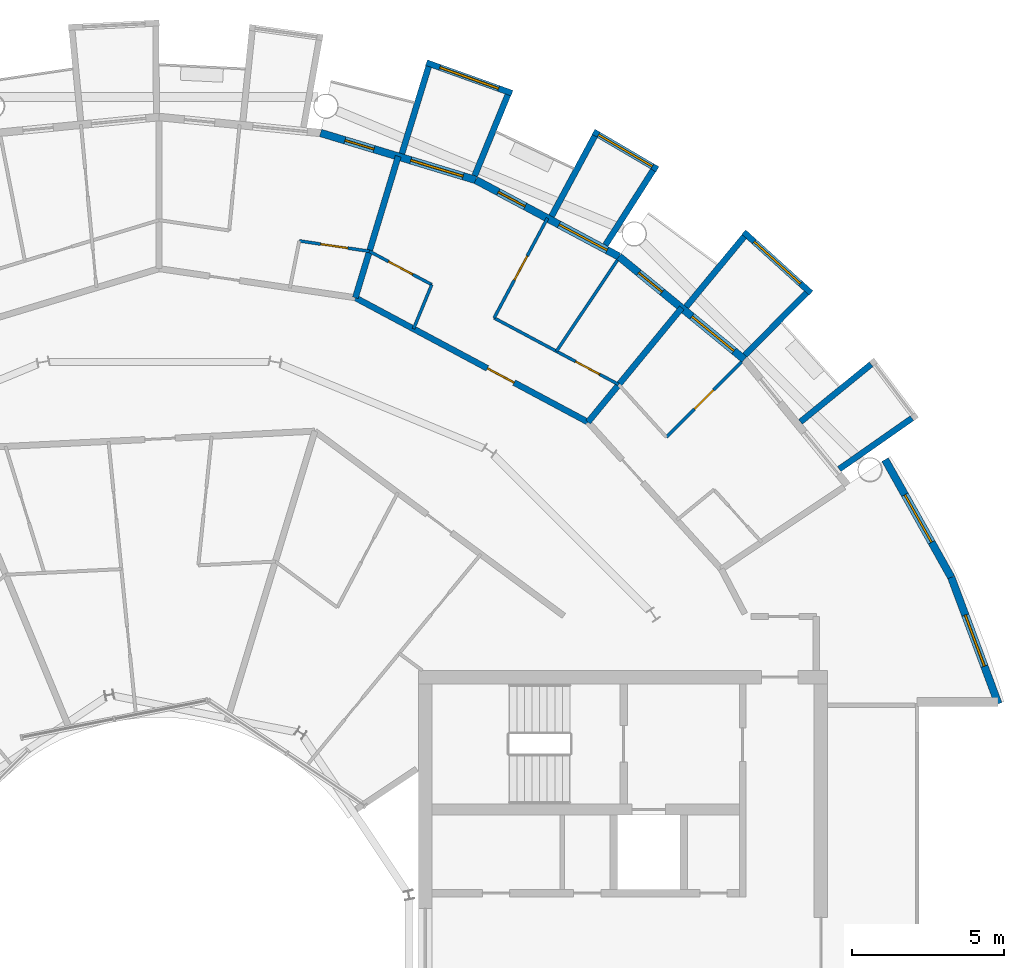
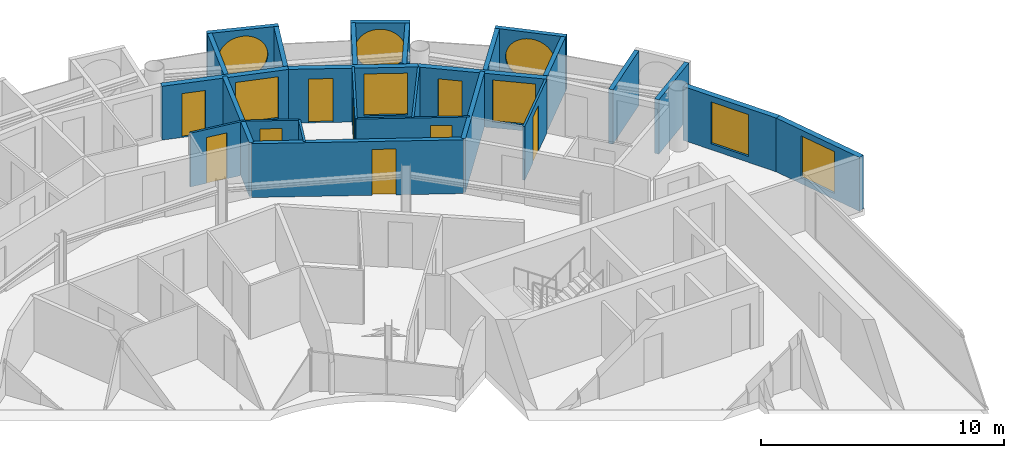
# One storey, part 24 of 29: 26 walls, 9 doors, 8 windows, 17 openings.
"""IFC4 building model written with IfcOpenShell, lengths in metres."""

from ifc_helpers import new_model, si_unit, direction, frame, frame_2d, origin, place, context, subcontext, project, spatial, rectangle, circle, extrude, material, layer, layer_set, type_object, element, fill, save


model = new_model("IFC4")

# Units and contexts
model_context = context("Model", 3, precision=1e-05, world=origin(), true_north=direction((0.0, 1.0)))
body_context = subcontext(model_context, "Body", "Model", "MODEL_VIEW")
ifc_project = project(units=[si_unit("LENGTHUNIT", "METRE"), si_unit("AREAUNIT", "SQUARE_METRE"), si_unit("VOLUMEUNIT", "CUBIC_METRE"), si_unit("PLANEANGLEUNIT", "RADIAN"), si_unit("MASSUNIT", "GRAM", prefix="KILO")], contexts=[model_context])

# Site, building, storey
site_placement = place(None, origin())
site = spatial("IfcSite", under=ifc_project, at=site_placement, CompositionType="ELEMENT")
building_placement = place(site_placement, origin())
building = spatial("IfcBuilding", under=site, at=building_placement, Name="Maasbend Ring Residences", CompositionType="ELEMENT")
storey_placement = place(building_placement, frame((0.0, 0.0, 202.39990234375)))
storey = spatial("IfcBuildingStorey", under=building, at=storey_placement, Name="L58", CompositionType="ELEMENT", Elevation=202.39990234375)

# Wall, opening, door
ifc_material_1 = material(Name="Concrete C30/37", Category="concrete")
ifc_layer_1 = layer(ifc_material_1, 0.199951171875)
ifc_layer_set_1 = layer_set([ifc_layer_1], Name="Concrete C30/37")
wall_type_1 = type_object("IfcWallType", Name="CORRIDOR WALL 200 CONCRETE", PredefinedType="PARTITIONING", material=ifc_layer_set_1)
wall_1_placement = place(storey_placement, frame((6.472900390625, 21.340087890625, 0.0), z_axis=(0.0, 0.0, 1.0), x_axis=(0.881869539497, -0.471493494448, 0.0)))
wall_1 = element("IfcWall", 1, at=wall_1_placement, inside=storey, type_object=wall_type_1, Name="U-L58-w108", PredefinedType="PARTITIONING", context=body_context, shape_type="SweptSolid", body=[
    extrude(rectangle(XDim=8.704345703125, YDim=0.199951171875, at=frame_2d((4.35205078125, 0.0))), origin(), (0.0, 0.0, 1.0), 2.7001953125),
])
opening_1_placement = place(wall_1_placement, frame((4.93896484375, 0.0, 0.0)))
opening_1 = element("IfcOpeningElement", 2, at=opening_1_placement, cuts=wall_1, Name="Opening D-5804", PredefinedType="OPENING", context=body_context, shape_type="SweptSolid", body=[
    extrude(rectangle(XDim=1.0, YDim=2.300048828125, at=frame_2d((0.5, 1.14990234375))), frame((0.0, 0.10986328125, 0.0), z_axis=(0.0, -1.0, 0.0), x_axis=(1.0, 0.0, 0.0)), (0.0, 0.0, 1.0), 0.219970703125),
])
ifc_material_2 = material(Name="Timber, fire-rated, painted", Category="wood")
door_type_1 = type_object("IfcDoorType", Name="FLAT ENTRANCE DOOR 1000 X 2300 FIRE-RATED", OperationType="NOTDEFINED", PredefinedType="DOOR", material=ifc_material_2)
door_1_placement = place(opening_1_placement, origin())
door_1 = element("IfcDoor", 3, at=door_1_placement, inside=storey, type_object=door_type_1, Name="D-5804", OperationType="SINGLE_SWING_RIGHT", OverallHeight=2.300048828125, OverallWidth=1.0, PredefinedType="DOOR", context=body_context, shape_type="SweptSolid", body=[
    extrude(rectangle(XDim=1.0, YDim=2.300048828125, at=frame_2d((0.5, 1.14990234375))), frame((0.0, 0.02490234375, 0.0), z_axis=(0.0, -1.0, 0.0), x_axis=(1.0, 0.0, 0.0)), (0.0, 0.0, 1.0), 0.050048828125),
])
fill(opening_1, door_1)

# Walls
ifc_material_3 = material(Name="Pale anodised aluminium panel", Category="aluminium")
ifc_layer_2 = layer(ifc_material_3, 0.199951171875)
ifc_layer_set_2 = layer_set([ifc_layer_2], Name="EW-BOX")
wall_type_2 = type_object("IfcWallType", Name="EW-BOX", PredefinedType="SOLIDWALL", material=ifc_layer_set_2)
wall_2_placement = place(storey_placement, frame((22.43310546875, 15.68798828125, -0.02978515625), z_axis=(0.0, 0.0, 1.0), x_axis=(0.819373043115, 0.573260687834, 0.0)))
element("IfcWall", 4, at=wall_2_placement, inside=storey, type_object=wall_type_2, Name="Box side wall N01 left", PredefinedType="SOLIDWALL", context=body_context, shape_type="SweptSolid", body=[
    extrude(rectangle(XDim=2.92529296875, YDim=0.199951171875, at=frame_2d((1.462646484375, 0.0))), origin(), (0.0, 0.0, 1.0), 2.72998046875),
])
wall_3_placement = place(storey_placement, frame((21.155029296875, 17.24609375, -0.02978515625), z_axis=(0.0, 0.0, 1.0), x_axis=(0.775179004516, 0.631741648902, 0.0)))
element("IfcWall", 5, at=wall_3_placement, inside=storey, type_object=wall_type_2, Name="Box side wall N01 right", PredefinedType="SOLIDWALL", context=body_context, shape_type="SweptSolid", body=[
    extrude(rectangle(XDim=3.005859375, YDim=0.199951171875, at=frame_2d((1.5029296875, 0.0))), origin(), (0.0, 0.0, 1.0), 2.72998046875),
])

# Wall, opening, window
wall_4_placement = place(storey_placement, frame((21.5, 21.492919921875, -0.02978515625), z_axis=(0.0, 0.0, 1.0), x_axis=(-0.740998365753, 0.671506829416, 0.0)))
wall_4 = element("IfcWall", 6, at=wall_4_placement, inside=storey, type_object=wall_type_2, Name="Box front N03", PredefinedType="SOLIDWALL", context=body_context, shape_type="SweptSolid", body=[
    extrude(rectangle(XDim=2.9931640625, YDim=0.199951171875, at=frame_2d((1.49658203125, 0.0))), origin(), (0.0, 0.0, 1.0), 2.72998046875),
])
opening_2_placement = place(wall_4_placement, frame((0.45654296875, 0.0, 0.330078125)))
opening_2 = element("IfcOpeningElement", 7, at=opening_2_placement, cuts=wall_4, Name="Opening W-RD", PredefinedType="OPENING", context=body_context, shape_type="SweptSolid", body=[
    extrude(circle(Radius=1.0400390625, at=frame_2d((1.0400390625, 1.0400390625))), frame((0.0, 0.10986328125, 0.0), z_axis=(0.0, -1.0, 0.0), x_axis=(1.0, 0.0, 0.0)), (0.0, 0.0, 1.0), 0.219970703125),
])
ifc_material_4 = material(Name="Aluminium and clear glass", Category="aluminium")
window_type_1 = type_object("IfcWindowType", Name="W-RD", PartitioningType="SINGLE_PANEL", PredefinedType="WINDOW", material=ifc_material_4)
window_1_placement = place(opening_2_placement, origin())
window_1 = element("IfcWindow", 8, at=window_1_placement, inside=storey, type_object=window_type_1, Name="Round window N03", OverallHeight=2.080078125, OverallWidth=2.080078125, PartitioningType="SINGLE_PANEL", PredefinedType="WINDOW", context=body_context, shape_type="SweptSolid", body=[
    extrude(circle(Radius=1.0400390625, at=frame_2d((1.0400390625, 1.0400390625))), frame((0.0, 0.030029296875, 0.0), z_axis=(0.0, -1.0, 0.0), x_axis=(1.0, 0.0, 0.0)), (0.0, 0.0, 1.0), 0.06005859375),
])
fill(opening_2, window_1)

# Walls
wall_5_placement = place(storey_placement, frame((19.322998046875, 19.449951171875, -0.02978515625), z_axis=(0.0, 0.0, 1.0), x_axis=(0.704476739375, 0.709727076896, 0.0)))
element("IfcWall", 9, at=wall_5_placement, inside=storey, type_object=wall_type_2, Name="Box side wall N03 left", PredefinedType="SOLIDWALL", context=body_context, shape_type="SweptSolid", body=[
    extrude(rectangle(XDim=2.883056640625, YDim=0.199951171875, at=frame_2d((1.44140625, 0.0))), origin(), (0.0, 0.0, 1.0), 2.72998046875),
])
wall_6_placement = place(storey_placement, frame((17.384033203125, 21.041015625, -0.02978515625), z_axis=(0.0, 0.0, 1.0), x_axis=(0.63709551667, 0.770784861449, 0.0)))
element("IfcWall", 10, at=wall_6_placement, inside=storey, type_object=wall_type_2, Name="Box side wall N03 right", PredefinedType="SOLIDWALL", context=body_context, shape_type="SweptSolid", body=[
    extrude(rectangle(XDim=3.005859375, YDim=0.199951171875, at=frame_2d((1.5029296875, 0.0))), origin(), (0.0, 0.0, 1.0), 2.72998046875),
])

# Wall, opening, window
wall_7_placement = place(storey_placement, frame((16.43603515625, 25.573974609375, -0.02978515625), z_axis=(0.0, 0.0, 1.0), x_axis=(-0.862403467503, 0.506221551535, 0.0)))
wall_7 = element("IfcWall", 11, at=wall_7_placement, inside=storey, type_object=wall_type_2, Name="Box front N05", PredefinedType="SOLIDWALL", context=body_context, shape_type="SweptSolid", body=[
    extrude(rectangle(XDim=2.445556640625, YDim=0.199951171875, at=frame_2d((1.22265625, 0.0))), origin(), (0.0, 0.0, 1.0), 2.72998046875),
])
opening_3_placement = place(wall_7_placement, frame((0.182861328125, 0.0, 0.330078125)))
opening_3 = element("IfcOpeningElement", 12, at=opening_3_placement, cuts=wall_7, Name="Opening W-RD", PredefinedType="OPENING", context=body_context, shape_type="SweptSolid", body=[
    extrude(circle(Radius=1.0400390625, at=frame_2d((1.0400390625, 1.0400390625))), frame((0.0, 0.10986328125, 0.0), z_axis=(0.0, -1.0, 0.0), x_axis=(1.0, 0.0, 0.0)), (0.0, 0.0, 1.0), 0.219970703125),
])
window_2_placement = place(opening_3_placement, origin())
window_2 = element("IfcWindow", 13, at=window_2_placement, inside=storey, type_object=window_type_1, Name="Round window N05", OverallHeight=2.080078125, OverallWidth=2.080078125, PartitioningType="SINGLE_PANEL", PredefinedType="WINDOW", context=body_context, shape_type="SweptSolid", body=[
    extrude(circle(Radius=1.0400390625, at=frame_2d((1.0400390625, 1.0400390625))), frame((0.0, 0.030029296875, 0.0), z_axis=(0.0, -1.0, 0.0), x_axis=(1.0, 0.0, 0.0)), (0.0, 0.0, 1.0), 0.06005859375),
])
fill(opening_3, window_2)

# Walls
wall_8_placement = place(storey_placement, frame((14.721923828125, 23.0791015625, -0.02978515625), z_axis=(0.0, 0.0, 1.0), x_axis=(0.537572179146, 0.843217737129, 0.0)))
element("IfcWall", 14, at=wall_8_placement, inside=storey, type_object=wall_type_2, Name="Box side wall N05 left", PredefinedType="SOLIDWALL", context=body_context, shape_type="SweptSolid", body=[
    extrude(rectangle(XDim=2.92431640625, YDim=0.199951171875, at=frame_2d((1.462158203125, 0.0))), origin(), (0.0, 0.0, 1.0), 2.72998046875),
])
wall_9_placement = place(storey_placement, frame((12.945068359375, 24.029052734375, -0.02978515625), z_axis=(0.0, 0.0, 1.0), x_axis=(0.474424310775, 0.88029629861, 0.0)))
element("IfcWall", 15, at=wall_9_placement, inside=storey, type_object=wall_type_2, Name="Box side wall N05 right", PredefinedType="SOLIDWALL", context=body_context, shape_type="SweptSolid", body=[
    extrude(rectangle(XDim=3.005859375, YDim=0.199951171875, at=frame_2d((1.5029296875, 0.0))), origin(), (0.0, 0.0, 1.0), 2.72998046875),
])

# Wall, opening, window
wall_10_placement = place(storey_placement, frame((11.637939453125, 28.083984375, -0.02978515625), z_axis=(0.0, 0.0, 1.0), x_axis=(-0.941461077774, 0.337121697664, 0.0)))
wall_10 = element("IfcWall", 16, at=wall_10_placement, inside=storey, type_object=wall_type_2, Name="Box front N07", PredefinedType="SOLIDWALL", context=body_context, shape_type="SweptSolid", body=[
    extrude(rectangle(XDim=2.9931640625, YDim=0.199951171875, at=frame_2d((1.49658203125, 0.0))), origin(), (0.0, 0.0, 1.0), 2.72998046875),
])
opening_4_placement = place(wall_10_placement, frame((0.45654296875, 0.0, 0.330078125)))
opening_4 = element("IfcOpeningElement", 17, at=opening_4_placement, cuts=wall_10, Name="Opening W-RD", PredefinedType="OPENING", context=body_context, shape_type="SweptSolid", body=[
    extrude(circle(Radius=1.0400390625, at=frame_2d((1.0400390625, 1.0400390625))), frame((0.0, 0.10986328125, 0.0), z_axis=(0.0, -1.0, 0.0), x_axis=(1.0, 0.0, 0.0)), (0.0, 0.0, 1.0), 0.219970703125),
])
window_3_placement = place(opening_4_placement, origin())
window_3 = element("IfcWindow", 18, at=window_3_placement, inside=storey, type_object=window_type_1, Name="Round window N07", OverallHeight=2.080078125, OverallWidth=2.080078125, PartitioningType="SINGLE_PANEL", PredefinedType="WINDOW", context=body_context, shape_type="SweptSolid", body=[
    extrude(circle(Radius=1.0400390625, at=frame_2d((1.0400390625, 1.0400390625))), frame((0.0, 0.030029296875, 0.0), z_axis=(0.0, -1.0, 0.0), x_axis=(1.0, 0.0, 0.0)), (0.0, 0.0, 1.0), 0.06005859375),
])
fill(opening_4, window_3)

# Walls
wall_11_placement = place(storey_placement, frame((10.408935546875, 25.364013671875, -0.02978515625), z_axis=(0.0, 0.0, 1.0), x_axis=(0.379509886562, 0.925187681501, 0.0)))
element("IfcWall", 19, at=wall_11_placement, inside=storey, type_object=wall_type_2, Name="Box side wall N07 left", PredefinedType="SOLIDWALL", context=body_context, shape_type="SweptSolid", body=[
    extrude(rectangle(XDim=2.882568359375, YDim=0.199951171875, at=frame_2d((1.44140625, 0.0))), origin(), (0.0, 0.0, 1.0), 2.72998046875),
])
wall_12_placement = place(storey_placement, frame((8.009033203125, 26.092041015625, -0.02978515625), z_axis=(0.0, 0.0, 1.0), x_axis=(0.293406695073, 0.955987715029, 0.0)))
element("IfcWall", 20, at=wall_12_placement, inside=storey, type_object=wall_type_2, Name="Box side wall N07 right", PredefinedType="SOLIDWALL", context=body_context, shape_type="SweptSolid", body=[
    extrude(rectangle(XDim=3.00634765625, YDim=0.199951171875, at=frame_2d((1.503173828125, 0.0))), origin(), (0.0, 0.0, 1.0), 2.72998046875),
])

# Wall, openings, door, window
ifc_material_5 = material(Name="Aluminium clad insulated panel", Category="aluminium")
ifc_layer_3 = layer(ifc_material_5, 0.25)
ifc_layer_set_3 = layer_set([ifc_layer_3], Name="EW-GL")
wall_type_3 = type_object("IfcWallType", Name="EW-GL", PredefinedType="SOLIDWALL", material=ifc_layer_set_3)
wall_13_placement = place(storey_placement, frame((19.303955078125, 19.303955078125, 0.0), z_axis=(0.0, 0.0, 1.0), x_axis=(-0.773019449054, 0.634382322723, 0.0)))
wall_13 = element("IfcWall", 21, at=wall_13_placement, inside=storey, type_object=wall_type_3, Name="External wall N02", PredefinedType="SOLIDWALL", context=body_context, shape_type="SweptSolid", body=[
    extrude(rectangle(XDim=5.351806640625, YDim=0.25, at=frame_2d((2.67578125, 0.0))), origin(), (0.0, 0.0, 1.0), 2.7001953125),
])
opening_5_placement = place(wall_13_placement, frame((0.441162109375, 0.0, 0.300048828125)))
opening_5 = element("IfcOpeningElement", 22, at=opening_5_placement, cuts=wall_13, Name="Opening W-BX", PredefinedType="OPENING", context=body_context, shape_type="SweptSolid", body=[
    extrude(rectangle(XDim=1.800048828125, YDim=2.10009765625, at=frame_2d((0.89990234375, 1.050048828125))), frame((0.0, 0.135009765625, 0.0), z_axis=(0.0, -1.0, 0.0), x_axis=(1.0, 0.0, 0.0)), (0.0, 0.0, 1.0), 0.27001953125),
])
opening_6_placement = place(wall_13_placement, frame((3.510498046875, 0.0, 0.0)))
opening_6 = element("IfcOpeningElement", 23, at=opening_6_placement, cuts=wall_13, Name="Opening D-LG", PredefinedType="OPENING", context=body_context, shape_type="SweptSolid", body=[
    extrude(rectangle(XDim=1.0, YDim=2.199951171875, at=frame_2d((0.5, 1.10009765625))), frame((0.0, 0.135009765625, 0.0), z_axis=(0.0, -1.0, 0.0), x_axis=(1.0, 0.0, 0.0)), (0.0, 0.0, 1.0), 0.27001953125),
])
ifc_material_6 = material(Name="Aluminium and clear glass", Category="aluminium")
door_type_2 = type_object("IfcDoorType", Name="D-LG", OperationType="SINGLE_SWING_LEFT", PredefinedType="DOOR", material=ifc_material_6)
door_2_placement = place(opening_6_placement, origin())
door_2 = element("IfcDoor", 24, at=door_2_placement, inside=storey, type_object=door_type_2, Name="Loggia door N04", OperationType="SINGLE_SWING_LEFT", OverallHeight=2.199951171875, OverallWidth=1.0, PredefinedType="DOOR", context=body_context, shape_type="SweptSolid", body=[
    extrude(rectangle(XDim=1.0, YDim=2.199951171875, at=frame_2d((0.5, 1.10009765625))), frame((0.0, 0.02490234375, 0.0), z_axis=(0.0, -1.0, 0.0), x_axis=(1.0, 0.0, 0.0)), (0.0, 0.0, 1.0), 0.050048828125),
])
fill(opening_6, door_2)
ifc_material_7 = material(Name="Aluminium and clear glass", Category="aluminium")
window_type_2 = type_object("IfcWindowType", Name="W-BX", PartitioningType="DOUBLE_PANEL_VERTICAL", PredefinedType="WINDOW", material=ifc_material_7)
window_4_placement = place(opening_5_placement, origin())
window_4 = element("IfcWindow", 25, at=window_4_placement, inside=storey, type_object=window_type_2, Name="Window N03 room to box", OverallHeight=2.10009765625, OverallWidth=1.800048828125, PartitioningType="SINGLE_PANEL", PredefinedType="WINDOW", context=body_context, shape_type="SweptSolid", body=[
    extrude(rectangle(XDim=1.800048828125, YDim=2.10009765625, at=frame_2d((0.89990234375, 1.050048828125))), frame((0.0, 0.030029296875, 0.0), z_axis=(0.0, -1.0, 0.0), x_axis=(1.0, 0.0, 0.0)), (0.0, 0.0, 1.0), 0.06005859375),
])
fill(opening_5, window_4)

wall_14_placement = place(storey_placement, frame((15.1669921875, 22.698974609375, 0.0), z_axis=(0.0, 0.0, 1.0), x_axis=(-0.881915646801, 0.471407246368, 0.0)))
wall_14 = element("IfcWall", 26, at=wall_14_placement, inside=storey, type_object=wall_type_3, Name="External wall N03", PredefinedType="SOLIDWALL", context=body_context, shape_type="SweptSolid", body=[
    extrude(rectangle(XDim=5.35205078125, YDim=0.25, at=frame_2d((2.676025390625, 0.0))), origin(), (0.0, 0.0, 1.0), 2.7001953125),
])
opening_7_placement = place(wall_14_placement, frame((0.441162109375, 0.0, 0.300048828125)))
opening_7 = element("IfcOpeningElement", 27, at=opening_7_placement, cuts=wall_14, Name="Opening W-BX", PredefinedType="OPENING", context=body_context, shape_type="SweptSolid", body=[
    extrude(rectangle(XDim=1.800048828125, YDim=2.10009765625, at=frame_2d((0.89990234375, 1.050048828125))), frame((0.0, 0.135009765625, 0.0), z_axis=(0.0, -1.0, 0.0), x_axis=(1.0, 0.0, 0.0)), (0.0, 0.0, 1.0), 0.27001953125),
])
opening_8_placement = place(wall_14_placement, frame((3.510498046875, 0.0, 0.0)))
opening_8 = element("IfcOpeningElement", 28, at=opening_8_placement, cuts=wall_14, Name="Opening D-LG", PredefinedType="OPENING", context=body_context, shape_type="SweptSolid", body=[
    extrude(rectangle(XDim=1.0, YDim=2.199951171875, at=frame_2d((0.5, 1.10009765625))), frame((0.0, 0.135009765625, 0.0), z_axis=(0.0, -1.0, 0.0), x_axis=(1.0, 0.0, 0.0)), (0.0, 0.0, 1.0), 0.27001953125),
])
door_3_placement = place(opening_8_placement, origin())
door_3 = element("IfcDoor", 29, at=door_3_placement, inside=storey, type_object=door_type_2, Name="Loggia door N06", OperationType="SINGLE_SWING_LEFT", OverallHeight=2.199951171875, OverallWidth=1.0, PredefinedType="DOOR", context=body_context, shape_type="SweptSolid", body=[
    extrude(rectangle(XDim=1.0, YDim=2.199951171875, at=frame_2d((0.5, 1.10009765625))), frame((0.0, 0.02490234375, 0.0), z_axis=(0.0, -1.0, 0.0), x_axis=(1.0, 0.0, 0.0)), (0.0, 0.0, 1.0), 0.050048828125),
])
fill(opening_8, door_3)
window_5_placement = place(opening_7_placement, origin())
window_5 = element("IfcWindow", 30, at=window_5_placement, inside=storey, type_object=window_type_2, Name="Window N05 room to box", OverallHeight=2.10009765625, OverallWidth=1.800048828125, PartitioningType="SINGLE_PANEL", PredefinedType="WINDOW", context=body_context, shape_type="SweptSolid", body=[
    extrude(rectangle(XDim=1.800048828125, YDim=2.10009765625, at=frame_2d((0.89990234375, 1.050048828125))), frame((0.0, 0.030029296875, 0.0), z_axis=(0.0, -1.0, 0.0), x_axis=(1.0, 0.0, 0.0)), (0.0, 0.0, 1.0), 0.06005859375),
])
fill(opening_7, window_5)

wall_15_placement = place(storey_placement, frame((10.447021484375, 25.221923828125, 0.0), z_axis=(0.0, 0.0, 1.0), x_axis=(-0.956965678721, 0.290201119486, 0.0)))
wall_15 = element("IfcWall", 31, at=wall_15_placement, inside=storey, type_object=wall_type_3, Name="External wall N04", PredefinedType="SOLIDWALL", context=body_context, shape_type="SweptSolid", body=[
    extrude(rectangle(XDim=5.351318359375, YDim=0.25, at=frame_2d((2.67578125, 0.0))), origin(), (0.0, 0.0, 1.0), 2.7001953125),
])
opening_9_placement = place(wall_15_placement, frame((0.441162109375, 0.0, 0.300048828125)))
opening_9 = element("IfcOpeningElement", 32, at=opening_9_placement, cuts=wall_15, Name="Opening W-BX", PredefinedType="OPENING", context=body_context, shape_type="SweptSolid", body=[
    extrude(rectangle(XDim=1.800048828125, YDim=2.10009765625, at=frame_2d((0.89990234375, 1.050048828125))), frame((0.0, 0.135009765625, 0.0), z_axis=(0.0, -1.0, 0.0), x_axis=(1.0, 0.0, 0.0)), (0.0, 0.0, 1.0), 0.27001953125),
])
opening_10_placement = place(wall_15_placement, frame((3.510498046875, 0.0, 0.0)))
opening_10 = element("IfcOpeningElement", 33, at=opening_10_placement, cuts=wall_15, Name="Opening D-LG", PredefinedType="OPENING", context=body_context, shape_type="SweptSolid", body=[
    extrude(rectangle(XDim=1.0, YDim=2.199951171875, at=frame_2d((0.5, 1.10009765625))), frame((0.0, 0.135009765625, 0.0), z_axis=(0.0, -1.0, 0.0), x_axis=(1.0, 0.0, 0.0)), (0.0, 0.0, 1.0), 0.27001953125),
])
door_4_placement = place(opening_10_placement, origin())
door_4 = element("IfcDoor", 34, at=door_4_placement, inside=storey, type_object=door_type_2, Name="Loggia door N08", OperationType="SINGLE_SWING_LEFT", OverallHeight=2.199951171875, OverallWidth=1.0, PredefinedType="DOOR", context=body_context, shape_type="SweptSolid", body=[
    extrude(rectangle(XDim=1.0, YDim=2.199951171875, at=frame_2d((0.5, 1.10009765625))), frame((0.0, 0.02490234375, 0.0), z_axis=(0.0, -1.0, 0.0), x_axis=(1.0, 0.0, 0.0)), (0.0, 0.0, 1.0), 0.050048828125),
])
fill(opening_10, door_4)
window_6_placement = place(opening_9_placement, origin())
window_6 = element("IfcWindow", 35, at=window_6_placement, inside=storey, type_object=window_type_2, Name="Window N07 room to box", OverallHeight=2.10009765625, OverallWidth=1.800048828125, PartitioningType="SINGLE_PANEL", PredefinedType="WINDOW", context=body_context, shape_type="SweptSolid", body=[
    extrude(rectangle(XDim=1.800048828125, YDim=2.10009765625, at=frame_2d((0.89990234375, 1.050048828125))), frame((0.0, 0.030029296875, 0.0), z_axis=(0.0, -1.0, 0.0), x_axis=(1.0, 0.0, 0.0)), (0.0, 0.0, 1.0), 0.06005859375),
])
fill(opening_9, window_6)

# Wall, opening, window
ifc_material_8 = material(Name="Aluminium clad insulated panel", Category="aluminium")
ifc_layer_4 = layer(ifc_material_8, 0.25)
ifc_layer_set_4 = layer_set([ifc_layer_4], Name="EW-HORN")
wall_type_4 = type_object("IfcWallType", Name="EW-HORN", PredefinedType="SOLIDWALL", material=ifc_layer_set_4)
wall_16_placement = place(storey_placement, frame((27.681884765625, 7.945068359375, 0.0), z_axis=(0.0, 0.0, 1.0), x_axis=(-0.349247811493, 0.937030397675, 0.0)))
wall_16 = element("IfcWall", 36, at=wall_16_placement, inside=storey, type_object=wall_type_4, Name="Horn wall 1.1", PredefinedType="SOLIDWALL", context=body_context, shape_type="SweptSolid", body=[
    extrude(rectangle(XDim=4.4521484375, YDim=0.25, at=frame_2d((2.22607421875, 0.0))), origin(), (0.0, 0.0, 1.0), 2.7001953125),
])
opening_11_placement = place(wall_16_placement, frame((1.32666015625, 0.0, 0.300048828125)))
opening_11 = element("IfcOpeningElement", 37, at=opening_11_placement, cuts=wall_16, Name="Opening W-BX", PredefinedType="OPENING", context=body_context, shape_type="SweptSolid", body=[
    extrude(rectangle(XDim=1.800048828125, YDim=2.10009765625, at=frame_2d((0.89990234375, 1.050048828125))), frame((0.0, 0.135009765625, 0.0), z_axis=(0.0, -1.0, 0.0), x_axis=(1.0, 0.0, 0.0)), (0.0, 0.0, 1.0), 0.27001953125),
])
window_7_placement = place(opening_11_placement, origin())
window_7 = element("IfcWindow", 38, at=window_7_placement, inside=storey, type_object=window_type_2, Name="Horn window 1.1", OverallHeight=2.10009765625, OverallWidth=1.800048828125, PartitioningType="SINGLE_PANEL", PredefinedType="WINDOW", context=body_context, shape_type="SweptSolid", body=[
    extrude(rectangle(XDim=1.800048828125, YDim=2.10009765625, at=frame_2d((0.89990234375, 1.050048828125))), frame((0.0, 0.030029296875, 0.0), z_axis=(0.0, -1.0, 0.0), x_axis=(1.0, 0.0, 0.0)), (0.0, 0.0, 1.0), 0.06005859375),
])
fill(opening_11, window_7)

wall_17_placement = place(storey_placement, frame((26.126953125, 12.116943359375, 0.0), z_axis=(0.0, 0.0, 1.0), x_axis=(-0.489696356642, 0.871893042919, 0.0)))
wall_17 = element("IfcWall", 39, at=wall_17_placement, inside=storey, type_object=wall_type_4, Name="Horn wall 1.2", PredefinedType="SOLIDWALL", context=body_context, shape_type="SweptSolid", body=[
    extrude(rectangle(XDim=4.45361328125, YDim=0.25, at=frame_2d((2.226806640625, 0.0))), origin(), (0.0, 0.0, 1.0), 2.7001953125),
])
opening_12_placement = place(wall_17_placement, frame((1.32666015625, 0.0, 0.300048828125)))
opening_12 = element("IfcOpeningElement", 40, at=opening_12_placement, cuts=wall_17, Name="Opening W-BX", PredefinedType="OPENING", context=body_context, shape_type="SweptSolid", body=[
    extrude(rectangle(XDim=1.800048828125, YDim=2.10009765625, at=frame_2d((0.89990234375, 1.050048828125))), frame((0.0, 0.135009765625, 0.0), z_axis=(0.0, -1.0, 0.0), x_axis=(1.0, 0.0, 0.0)), (0.0, 0.0, 1.0), 0.27001953125),
])
window_8_placement = place(opening_12_placement, origin())
window_8 = element("IfcWindow", 41, at=window_8_placement, inside=storey, type_object=window_type_2, Name="Horn window 1.2", OverallHeight=2.10009765625, OverallWidth=1.800048828125, PartitioningType="SINGLE_PANEL", PredefinedType="WINDOW", context=body_context, shape_type="SweptSolid", body=[
    extrude(rectangle(XDim=1.800048828125, YDim=2.10009765625, at=frame_2d((0.89990234375, 1.050048828125))), frame((0.0, 0.030029296875, 0.0), z_axis=(0.0, -1.0, 0.0), x_axis=(1.0, 0.0, 0.0)), (0.0, 0.0, 1.0), 0.06005859375),
])
fill(opening_12, window_8)

# Wall
ifc_material_9 = material(Name="Gypsum board on steel studs", Category="steel")
ifc_layer_5 = layer(ifc_material_9, 0.10009765625)
ifc_layer_set_5 = layer_set([ifc_layer_5], Name="PARTITION 100 GYPSUM")
wall_type_5 = type_object("IfcWallType", Name="PARTITION 100 GYPSUM", PredefinedType="PARTITIONING", material=ifc_layer_set_5)
wall_18_placement = place(storey_placement, frame((8.39208984375, 20.31396484375, 0.0), z_axis=(0.0, 0.0, 1.0), x_axis=(0.381535938362, 0.924354005638, 0.0)))
element("IfcWall", 42, at=wall_18_placement, inside=storey, type_object=wall_type_5, Name="U-L58-w076", PredefinedType="PARTITIONING", context=body_context, shape_type="SweptSolid", body=[
    extrude(rectangle(XDim=1.577392578125, YDim=0.10009765625, at=frame_2d((0.78857421875, 0.0))), origin(), (0.0, 0.0, 1.0), 2.7001953125),
])

# Wall, opening, door
wall_19_placement = place(storey_placement, frame((11.050048828125, 20.673095703125, 0.0), z_axis=(0.0, 0.0, 1.0), x_axis=(0.471372010014, 0.881934480659, 0.0)))
wall_19 = element("IfcWall", 43, at=wall_19_placement, inside=storey, type_object=wall_type_5, Name="U-L58-w080", PredefinedType="PARTITIONING", context=body_context, shape_type="SweptSolid", body=[
    extrude(rectangle(XDim=3.73388671875, YDim=0.10009765625, at=frame_2d((1.866943359375, 0.0))), origin(), (0.0, 0.0, 1.0), 2.7001953125),
])
opening_13_placement = place(wall_19_placement, frame((1.4169921875, 0.0, 0.0)))
opening_13 = element("IfcOpeningElement", 44, at=opening_13_placement, cuts=wall_19, Name="Opening D-5806", PredefinedType="OPENING", context=body_context, shape_type="SweptSolid", body=[
    extrude(rectangle(XDim=0.89990234375, YDim=2.300048828125, at=frame_2d((0.449951171875, 1.14990234375))), frame((0.0, 0.06005859375, 0.0), z_axis=(0.0, -1.0, 0.0), x_axis=(1.0, 0.0, 0.0)), (0.0, 0.0, 1.0), 0.1201171875),
])
ifc_material_10 = material(Name="Timber, painted", Category="wood")
door_type_3 = type_object("IfcDoorType", Name="INTERNAL DOOR 900 X 2300", OperationType="NOTDEFINED", PredefinedType="DOOR", material=ifc_material_10)
door_5_placement = place(opening_13_placement, origin())
door_5 = element("IfcDoor", 45, at=door_5_placement, inside=storey, type_object=door_type_3, Name="D-5806", OperationType="SINGLE_SWING_LEFT", OverallHeight=2.300048828125, OverallWidth=0.89990234375, PredefinedType="DOOR", context=body_context, shape_type="SweptSolid", body=[
    extrude(rectangle(XDim=0.89990234375, YDim=2.300048828125, at=frame_2d((0.449951171875, 1.14990234375))), frame((0.0, 0.02490234375, 0.0), z_axis=(0.0, -1.0, 0.0), x_axis=(1.0, 0.0, 0.0)), (0.0, 0.0, 1.0), 0.050048828125),
])
fill(opening_13, door_5)

# Wall
wall_20_placement = place(storey_placement, frame((13.10595703125, 19.573974609375, 0.0), z_axis=(0.0, 0.0, 1.0), x_axis=(0.556271723484, 0.831000463088, 0.0)))
element("IfcWall", 46, at=wall_20_placement, inside=storey, type_object=wall_type_5, Name="U-L58-w081", PredefinedType="PARTITIONING", context=body_context, shape_type="SweptSolid", body=[
    extrude(rectangle(XDim=3.61865234375, YDim=0.10009765625, at=frame_2d((1.809326171875, 0.0))), origin(), (0.0, 0.0, 1.0), 2.7001953125),
])

# Wall, opening, door
wall_21_placement = place(storey_placement, frame((16.73193359375, 16.742919921875, 0.0), z_axis=(0.0, 0.0, 1.0), x_axis=(0.706967463531, 0.707246071398, 0.0)))
wall_21 = element("IfcWall", 47, at=wall_21_placement, inside=storey, type_object=wall_type_5, Name="U-L58-w085", PredefinedType="PARTITIONING", context=body_context, shape_type="SweptSolid", body=[
    extrude(rectangle(XDim=3.505126953125, YDim=0.10009765625, at=frame_2d((1.75244140625, 0.0))), origin(), (0.0, 0.0, 1.0), 2.7001953125),
])
opening_14_placement = place(wall_21_placement, frame((1.302978515625, 0.0, 0.0)))
opening_14 = element("IfcOpeningElement", 48, at=opening_14_placement, cuts=wall_21, Name="Opening D-5803", PredefinedType="OPENING", context=body_context, shape_type="SweptSolid", body=[
    extrude(rectangle(XDim=0.89990234375, YDim=2.300048828125, at=frame_2d((0.449951171875, 1.14990234375))), frame((0.0, 0.06005859375, 0.0), z_axis=(0.0, -1.0, 0.0), x_axis=(1.0, 0.0, 0.0)), (0.0, 0.0, 1.0), 0.1201171875),
])
door_6_placement = place(opening_14_placement, origin())
door_6 = element("IfcDoor", 49, at=door_6_placement, inside=storey, type_object=door_type_3, Name="D-5803", OperationType="SINGLE_SWING_RIGHT", OverallHeight=2.300048828125, OverallWidth=0.89990234375, PredefinedType="DOOR", context=body_context, shape_type="SweptSolid", body=[
    extrude(rectangle(XDim=0.89990234375, YDim=2.300048828125, at=frame_2d((0.449951171875, 1.14990234375))), frame((0.0, 0.02490234375, 0.0), z_axis=(0.0, -1.0, 0.0), x_axis=(1.0, 0.0, 0.0)), (0.0, 0.0, 1.0), 0.050048828125),
])
fill(opening_14, door_6)

wall_22_placement = place(storey_placement, frame((6.93798828125, 22.87109375, 0.0), z_axis=(0.0, 0.0, 1.0), x_axis=(0.881882873346, -0.471468554305, 0.0)))
wall_22 = element("IfcWall", 50, at=wall_22_placement, inside=storey, type_object=wall_type_5, Name="U-L58-w117", PredefinedType="PARTITIONING", context=body_context, shape_type="SweptSolid", body=[
    extrude(rectangle(XDim=2.331298828125, YDim=0.10009765625, at=frame_2d((1.16552734375, 0.0))), origin(), (0.0, 0.0, 1.0), 2.7001953125),
])
opening_15_placement = place(wall_22_placement, frame((0.716064453125, 0.0, 0.0)))
opening_15 = element("IfcOpeningElement", 51, at=opening_15_placement, cuts=wall_22, Name="Opening D-5805", PredefinedType="OPENING", context=body_context, shape_type="SweptSolid", body=[
    extrude(rectangle(XDim=0.89990234375, YDim=2.300048828125, at=frame_2d((0.449951171875, 1.14990234375))), frame((0.0, 0.06005859375, 0.0), z_axis=(0.0, -1.0, 0.0), x_axis=(1.0, 0.0, 0.0)), (0.0, 0.0, 1.0), 0.1201171875),
])
door_7_placement = place(opening_15_placement, origin())
door_7 = element("IfcDoor", 52, at=door_7_placement, inside=storey, type_object=door_type_3, Name="D-5805", OperationType="SINGLE_SWING_RIGHT", OverallHeight=2.300048828125, OverallWidth=0.89990234375, PredefinedType="DOOR", context=body_context, shape_type="SweptSolid", body=[
    extrude(rectangle(XDim=0.89990234375, YDim=2.300048828125, at=frame_2d((0.449951171875, 1.14990234375))), frame((0.0, 0.02490234375, 0.0), z_axis=(0.0, -1.0, 0.0), x_axis=(1.0, 0.0, 0.0)), (0.0, 0.0, 1.0), 0.050048828125),
])
fill(opening_15, door_7)

wall_23_placement = place(storey_placement, frame((11.050048828125, 20.673095703125, 0.0), z_axis=(0.0, 0.0, 1.0), x_axis=(0.881916280728, -0.471406060405, 0.0)))
wall_23 = element("IfcWall", 53, at=wall_23_placement, inside=storey, type_object=wall_type_5, Name="U-L58-w118", PredefinedType="PARTITIONING", context=body_context, shape_type="SweptSolid", body=[
    extrude(rectangle(XDim=4.66259765625, YDim=0.10009765625, at=frame_2d((2.331298828125, 0.0))), origin(), (0.0, 0.0, 1.0), 2.7001953125),
])
opening_16_placement = place(wall_23_placement, frame((3.047119140625, 0.0, 0.0)))
opening_16 = element("IfcOpeningElement", 54, at=opening_16_placement, cuts=wall_23, Name="Opening D-5807", PredefinedType="OPENING", context=body_context, shape_type="SweptSolid", body=[
    extrude(rectangle(XDim=0.89990234375, YDim=2.300048828125, at=frame_2d((0.449951171875, 1.14990234375))), frame((0.0, 0.06005859375, 0.0), z_axis=(0.0, -1.0, 0.0), x_axis=(1.0, 0.0, 0.0)), (0.0, 0.0, 1.0), 0.1201171875),
])
door_8_placement = place(opening_16_placement, origin())
door_8 = element("IfcDoor", 55, at=door_8_placement, inside=storey, type_object=door_type_3, Name="D-5807", OperationType="SINGLE_SWING_RIGHT", OverallHeight=2.300048828125, OverallWidth=0.89990234375, PredefinedType="DOOR", context=body_context, shape_type="SweptSolid", body=[
    extrude(rectangle(XDim=0.89990234375, YDim=2.300048828125, at=frame_2d((0.449951171875, 1.14990234375))), frame((0.0, 0.02490234375, 0.0), z_axis=(0.0, -1.0, 0.0), x_axis=(1.0, 0.0, 0.0)), (0.0, 0.0, 1.0), 0.050048828125),
])
fill(opening_16, door_8)

wall_24_placement = place(storey_placement, frame((4.625, 23.214111328125, 0.0), z_axis=(0.0, 0.0, 1.0), x_axis=(0.989181588285, -0.146696235121, 0.0)))
wall_24 = element("IfcWall", 56, at=wall_24_placement, inside=storey, type_object=wall_type_5, Name="U-L58-w120", PredefinedType="PARTITIONING", context=body_context, shape_type="SweptSolid", body=[
    extrude(rectangle(XDim=2.33837890625, YDim=0.10009765625, at=frame_2d((1.169189453125, 0.0))), origin(), (0.0, 0.0, 1.0), 2.7001953125),
])
opening_17_placement = place(wall_24_placement, frame((0.718994140625, 0.0, 0.0)))
opening_17 = element("IfcOpeningElement", 57, at=opening_17_placement, cuts=wall_24, Name="Opening D-5809", PredefinedType="OPENING", context=body_context, shape_type="SweptSolid", body=[
    extrude(rectangle(XDim=0.89990234375, YDim=2.300048828125, at=frame_2d((0.449951171875, 1.14990234375))), frame((0.0, 0.06005859375, 0.0), z_axis=(0.0, -1.0, 0.0), x_axis=(1.0, 0.0, 0.0)), (0.0, 0.0, 1.0), 0.1201171875),
])
door_9_placement = place(opening_17_placement, origin())
door_9 = element("IfcDoor", 58, at=door_9_placement, inside=storey, type_object=door_type_3, Name="D-5809", OperationType="SINGLE_SWING_RIGHT", OverallHeight=2.300048828125, OverallWidth=0.89990234375, PredefinedType="DOOR", context=body_context, shape_type="SweptSolid", body=[
    extrude(rectangle(XDim=0.89990234375, YDim=2.300048828125, at=frame_2d((0.449951171875, 1.14990234375))), frame((0.0, 0.02490234375, 0.0), z_axis=(0.0, -1.0, 0.0), x_axis=(1.0, 0.0, 0.0)), (0.0, 0.0, 1.0), 0.050048828125),
])
fill(opening_17, door_9)

# Walls
ifc_material_11 = material(Name="Concrete C30/37", Category="concrete")
ifc_layer_6 = layer(ifc_material_11, 0.199951171875)
ifc_layer_set_6 = layer_set([ifc_layer_6], Name="Concrete C30/37")
wall_type_6 = type_object("IfcWallType", Name="PARTY WALL 200 CONCRETE", PredefinedType="PARTITIONING", material=ifc_layer_set_6)
wall_25_placement = place(storey_placement, frame((6.47412109375, 21.340087890625, 0.0), z_axis=(0.0, 0.0, 1.0), x_axis=(0.290053269332, 0.957010502006, 0.0)))
element("IfcWall", 59, at=wall_25_placement, inside=storey, type_object=wall_type_6, Name="U-L58-w074", PredefinedType="PARTITIONING", context=body_context, shape_type="SweptSolid", body=[
    extrude(rectangle(XDim=4.874267578125, YDim=0.199951171875, at=frame_2d((2.43701171875, 0.0))), origin(), (0.0, 0.0, 1.0), 2.7001953125),
])
wall_26_placement = place(storey_placement, frame((14.14697265625, 17.238037109375, 0.0), z_axis=(0.0, 0.0, 1.0), x_axis=(0.634374159378, 0.773026148273, 0.0)))
element("IfcWall", 60, at=wall_26_placement, inside=storey, type_object=wall_type_6, Name="U-L58-w082", PredefinedType="PARTITIONING", context=body_context, shape_type="SweptSolid", body=[
    extrude(rectangle(XDim=4.875732421875, YDim=0.199951171875, at=frame_2d((2.43798828125, 0.0))), origin(), (0.0, 0.0, 1.0), 2.7001953125),
])

save(model, "model.ifc")
